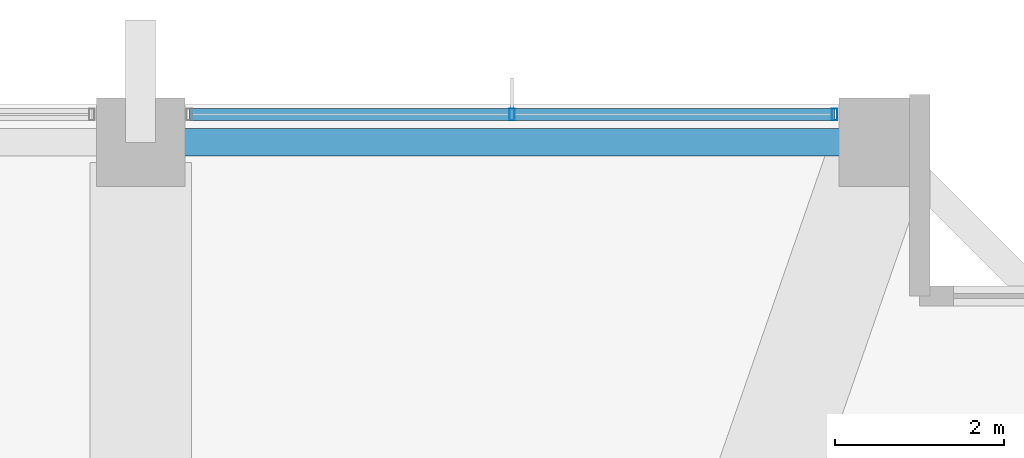
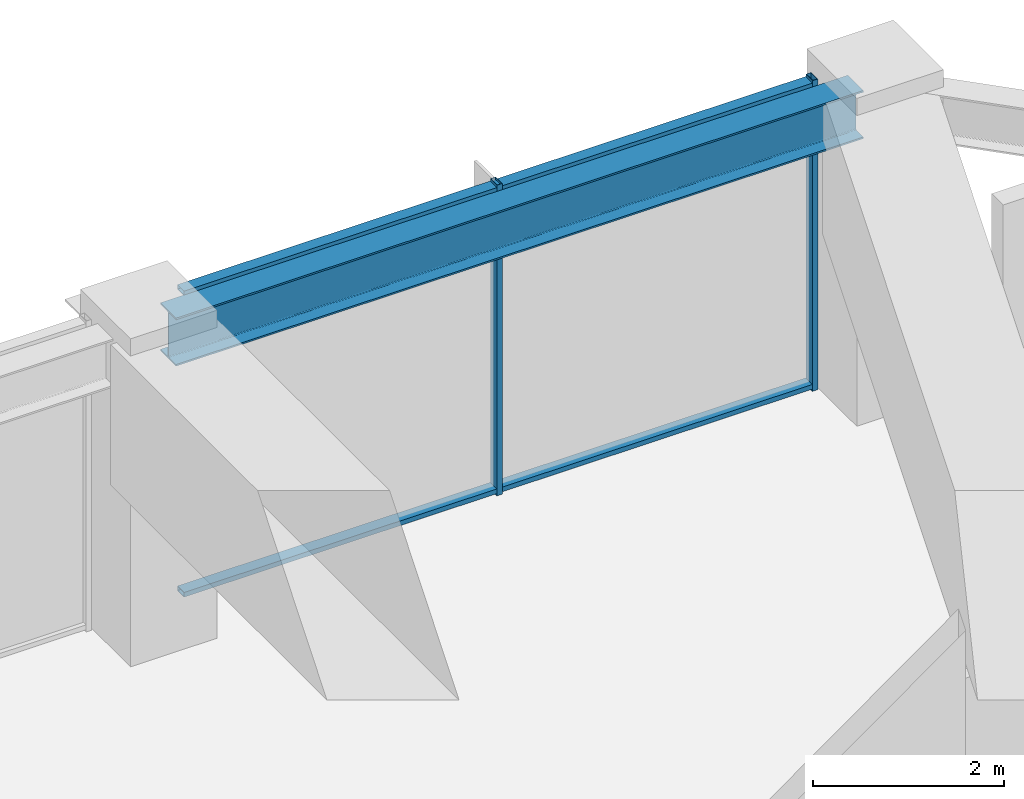
# One storey, part 27 of 40: 4 members, 1 beam, 1 element without a shape of its own.
"""IFC4 building model written with IfcOpenShell, lengths in metres."""

from ifc_helpers import new_model, si_unit, direction, frame, origin, origin_2d, place, context, subcontext, project, spatial, hollow_rectangle, i_section, extrude, material, material_profile, profile_set, type_object, element, aggregate, save


model = new_model("IFC4")

# Units and contexts
model_context = context("Model", 3, precision=1e-05, world=origin(), true_north=direction((0.0, 1.0)))
body_context = subcontext(model_context, "Body", "Model", "MODEL_VIEW")
ifc_project = project(units=[si_unit("LENGTHUNIT", "METRE"), si_unit("AREAUNIT", "SQUARE_METRE"), si_unit("VOLUMEUNIT", "CUBIC_METRE"), si_unit("PLANEANGLEUNIT", "RADIAN"), si_unit("MASSUNIT", "GRAM", prefix="KILO")], contexts=[model_context])

# Site, building, storey
site_placement = place(None, origin())
site = spatial("IfcSite", under=ifc_project, at=site_placement, CompositionType="ELEMENT")
building_placement = place(site_placement, origin())
building = spatial("IfcBuilding", under=site, at=building_placement, Name="Kolvaren Belvedere", CompositionType="ELEMENT")
storey_placement = place(building_placement, frame((0.0, 0.0, 68.0)))
storey = spatial("IfcBuildingStorey", under=building, at=storey_placement, Name="L19", CompositionType="ELEMENT", Elevation=68.0)

# Beam
ifc_material_1 = material(Name="Structural steel ASTM A992 Grade 50", Category="steel")
ifc_material_profile_1 = material_profile(ifc_material_1, i_section(OverallWidth=0.324951171875, OverallDepth=0.615966796875, WebThickness=0.013916015625, FlangeThickness=0.021484375, FilletRadius=0.02001953125, at=origin_2d()), Name="W24X117")
ifc_profile_set_1 = profile_set([ifc_material_profile_1], Name="Structural steel ASTM A992 Grade 50")
beam_type = type_object("IfcBeamType", Name="BM-SPAN-W24X117", PredefinedType="SPANDREL", material=ifc_profile_set_1)
beam_placement = place(storey_placement, frame((13.163818359375, 19.949951171875, 3.672119140625), z_axis=(-1.0, 0.0, 0.0), x_axis=(0.0, -1.0, 0.0)))
element("IfcBeam", 1, at=beam_placement, inside=storey, type_object=beam_type, Name="L19 Perimeter Spandrel N4-N3", PredefinedType="SPANDREL", context=body_context, shape_type="SweptSolid", body=[
    extrude(i_section(OverallWidth=0.324951171875, OverallDepth=0.615966796875, WebThickness=0.013916015625, FlangeThickness=0.021484375, FilletRadius=0.02001953125, at=origin_2d()), origin(), (0.0, 0.0, 1.0), 8.32763671875),
])

# Curtain wall, members
ifc_material_2 = material(Name="Anodised pale-metal aluminium AA 6063-T6", Category="aluminium")
curtain_wall_type = type_object("IfcCurtainWallType", Name="CW-Z2-MID", PredefinedType="NOTDEFINED", material=ifc_material_2)
curtain_wall_placement = place(storey_placement, origin())
curtain_wall = element("IfcCurtainWall", 2, at=curtain_wall_placement, inside=storey, type_object=curtain_wall_type, Name="L19 Unitised Curtain Wall FCW-L19-N-B3", PredefinedType="NOTDEFINED")
ifc_material_3 = material(Name="Anodised pale-metal aluminium AA 6063-T6", Category="aluminium")
ifc_material_profile_2 = material_profile(ifc_material_3, hollow_rectangle(XDim=0.06494140625, YDim=0.139892578125, WallThickness=0.00390625, at=origin_2d()), Name="ALU-MUL-140X65")
ifc_profile_set_2 = profile_set([ifc_material_profile_2], Name="Anodised pale-metal aluminium AA 6063-T6")
member_type_1 = type_object("IfcMemberType", Name="CW-MUL-140", PredefinedType="MULLION", material=ifc_profile_set_2)
member_1_placement = place(storey_placement, frame((9.0, 20.280029296875, 0.0), z_axis=(0.0, 0.0, 1.0), x_axis=(1.0, 0.0, 0.0)))
member_1 = element("IfcMember", 3, at=member_1_placement, type_object=member_type_1, Name="FCW-L19-N-B3 Unitised Mullion 2", PredefinedType="MULLION", context=body_context, shape_type="SweptSolid", body=[
    extrude(hollow_rectangle(XDim=0.06494140625, YDim=0.139892578125, WallThickness=0.00390625, at=origin_2d()), origin(), (0.0, 0.0, 1.0), 3.97998046875),
])
member_2_placement = place(storey_placement, frame((12.822509765625, 20.280029296875, 0.0), z_axis=(0.0, 0.0, 1.0), x_axis=(1.0, 0.0, 0.0)))
member_2 = element("IfcMember", 4, at=member_2_placement, type_object=member_type_1, Name="FCW-L19-N-B3 Unitised Mullion 3", PredefinedType="MULLION", context=body_context, shape_type="SweptSolid", body=[
    extrude(hollow_rectangle(XDim=0.06494140625, YDim=0.139892578125, WallThickness=0.00390625, at=origin_2d()), origin(), (0.0, 0.0, 1.0), 3.97998046875),
])
ifc_material_4 = material(Name="Anodised pale-metal aluminium AA 6063-T6", Category="aluminium")
ifc_material_profile_3 = material_profile(ifc_material_4, hollow_rectangle(XDim=0.06005859375, YDim=0.139892578125, WallThickness=0.00390625, at=origin_2d()), Name="ALU-TRN-140X60")
ifc_profile_set_3 = profile_set([ifc_material_profile_3], Name="Anodised pale-metal aluminium AA 6063-T6")
member_type_2 = type_object("IfcMemberType", Name="CW-TRN-140", PredefinedType="USERDEFINED", material=ifc_profile_set_3)
member_3_placement = place(storey_placement, frame((5.177490234375, 20.280029296875, 0.06005859375), z_axis=(1.0, 0.0, 0.0), x_axis=(0.0, 0.0, 1.0)))
member_3 = element("IfcMember", 5, at=member_3_placement, type_object=member_type_2, Name="FCW-L19-N-B3 Sill Transom", ObjectType="TRANSOM", PredefinedType="USERDEFINED", context=body_context, shape_type="SweptSolid", body=[
    extrude(hollow_rectangle(XDim=0.06005859375, YDim=0.139892578125, WallThickness=0.00390625, at=origin_2d()), origin(), (0.0, 0.0, 1.0), 7.64501953125),
])
member_4_placement = place(storey_placement, frame((5.177490234375, 20.280029296875, 3.919921875), z_axis=(1.0, 0.0, 0.0), x_axis=(0.0, 0.0, 1.0)))
member_4 = element("IfcMember", 6, at=member_4_placement, type_object=member_type_2, Name="FCW-L19-N-B3 Head Transom", ObjectType="TRANSOM", PredefinedType="USERDEFINED", context=body_context, shape_type="SweptSolid", body=[
    extrude(hollow_rectangle(XDim=0.06005859375, YDim=0.139892578125, WallThickness=0.00390625, at=origin_2d()), origin(), (0.0, 0.0, 1.0), 7.64501953125),
])
aggregate(curtain_wall, [member_1, member_2, member_3, member_4])

save(model, "model.ifc")
